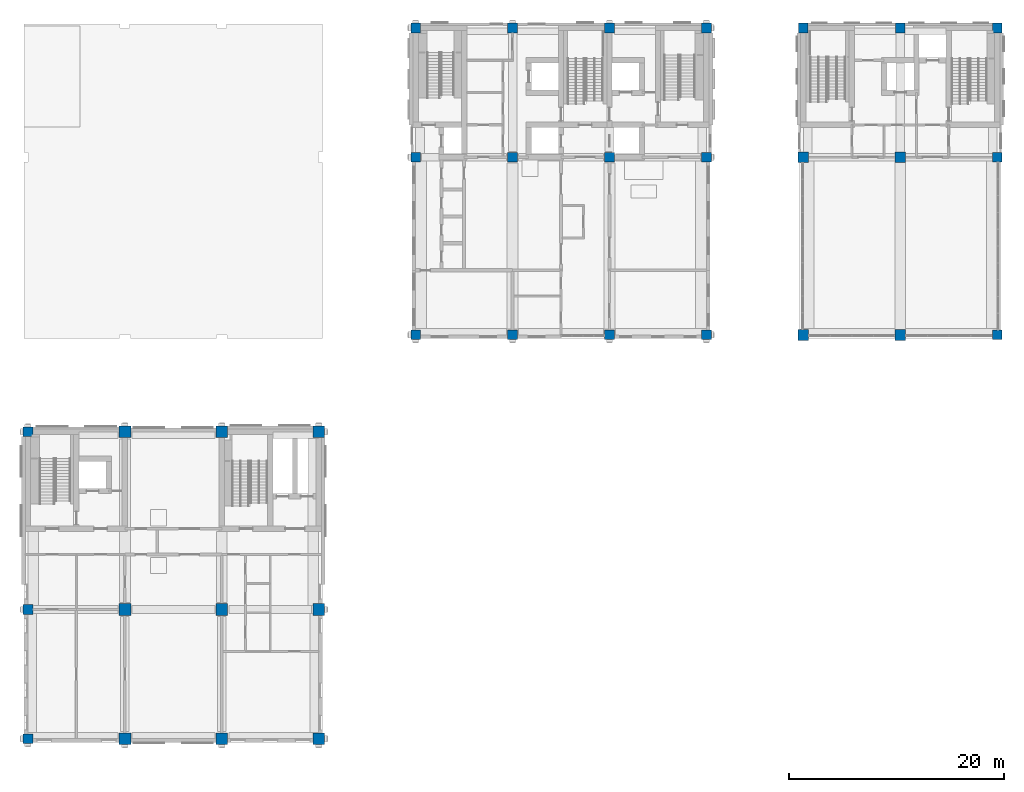
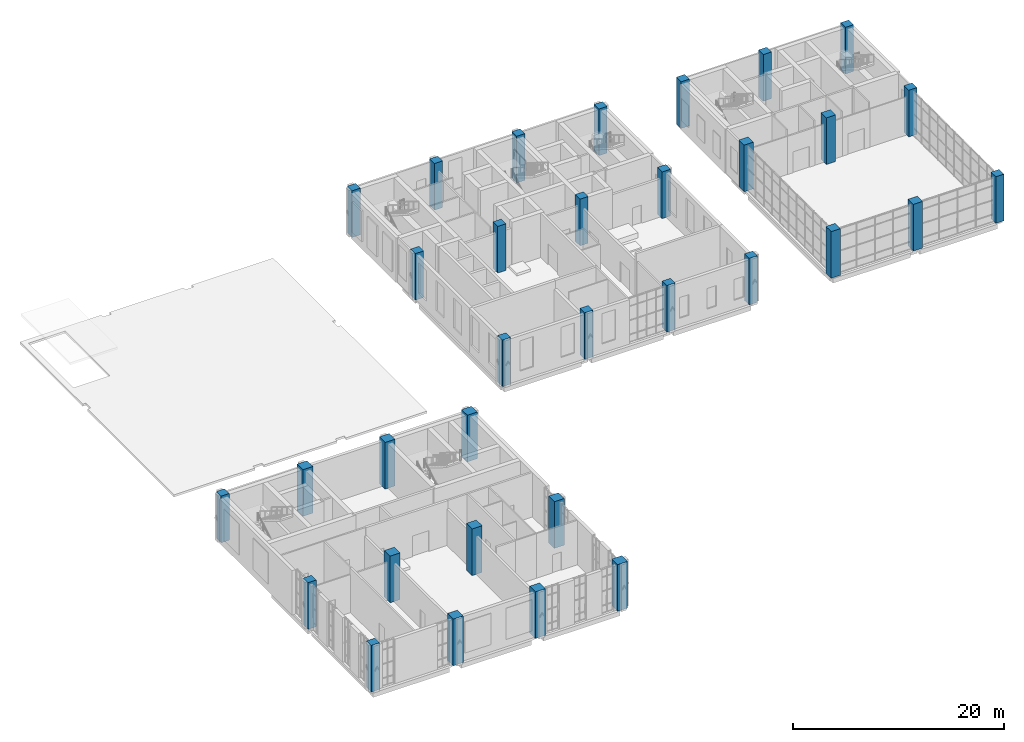
# One storey, part 1 of 33: 33 columns.
"""IFC4 building model written with IfcOpenShell, lengths in metres."""

from ifc_helpers import new_model, si_unit, direction, frame, origin, origin_2d, place, context, subcontext, project, spatial, rectangle, extrude, material, material_profile, profile_set, type_object, element, save


model = new_model("IFC4")

# Units and contexts
model_context = context("Model", 3, precision=1e-05, world=origin(), true_north=direction((0.0, 1.0)))
body_context = subcontext(model_context, "Body", "Model", "MODEL_VIEW")
ifc_project = project(units=[si_unit("LENGTHUNIT", "METRE"), si_unit("AREAUNIT", "SQUARE_METRE"), si_unit("VOLUMEUNIT", "CUBIC_METRE"), si_unit("PLANEANGLEUNIT", "RADIAN"), si_unit("MASSUNIT", "GRAM", prefix="KILO")], contexts=[model_context])

# Site, building, storey
site_placement = place(None, origin())
site = spatial("IfcSite", under=ifc_project, at=site_placement, CompositionType="ELEMENT")
building_placement = place(site_placement, origin())
building = spatial("IfcBuilding", under=site, at=building_placement, Name="Aurelan Courthouse", CompositionType="ELEMENT")
storey_placement = place(building_placement, frame((0.0, 0.0, 22.800048828125)))
storey = spatial("IfcBuildingStorey", under=building, at=storey_placement, Name="L04", CompositionType="ELEMENT", Elevation=22.800048828125)

# Columns
ifc_material = material(Name="Concrete C50", Category="concrete")
ifc_material_profile_1 = material_profile(ifc_material, rectangle(XDim=1.0, YDim=1.0, at=origin_2d()), Name="RC 1000 x 1000")
ifc_profile_set_1 = profile_set([ifc_material_profile_1], Name="Concrete C50")
column_type_1 = type_object("IfcColumnType", Name="RC column 1000 x 1000 C50", PredefinedType="COLUMN", material=ifc_profile_set_1)
for number, where, z_axis, x_axis, name in (
    (1, (72.0, 37.5, 0.0), (0.0, 0.0, 1.0), (1.0, 0.0, 0.0), "Column C-D9-A"),
    (2, (81.0, 37.5, 0.0), (0.0, 0.0, 1.0), (1.0, 0.0, 0.0), "Column C-D10-A"),
    (3, (72.0, 54.0, 0.0), (0.0, 0.0, 1.0), (1.0, 0.0, 0.0), "Column C-E9-A"),
    (4, (81.0, 54.0, 0.0), (0.0, 0.0, 1.0), (1.0, 0.0, 0.0), "Column C-E10-A"),
):
    element("IfcColumn", number, at=place(storey_placement, frame(where, z_axis=z_axis, x_axis=x_axis)), inside=storey, type_object=column_type_1, Name=name, PredefinedType="COLUMN", context=body_context, shape_type="SweptSolid", body=[
        extrude(rectangle(XDim=1.0, YDim=1.0, at=origin_2d()), origin(), (0.0, 0.0, 1.0), 5.39990234375),
    ])
ifc_material_profile_2 = material_profile(ifc_material, rectangle(XDim=1.10009765625, YDim=1.10009765625, at=origin_2d()), Name="RC 1100 x 1100")
ifc_profile_set_2 = profile_set([ifc_material_profile_2], Name="Concrete C50")
column_type_2 = type_object("IfcColumnType", Name="RC column 1100 x 1100 C50", PredefinedType="COLUMN", material=ifc_profile_set_2)
for number, where, z_axis, x_axis, name in (
    (5, (9.0, 0.0, 0.0), (0.0, 0.0, 1.0), (1.0, 0.0, 0.0), "Column C-A2-C"),
    (6, (18.0, 0.0, 0.0), (0.0, 0.0, 1.0), (1.0, 0.0, 0.0), "Column C-A3-C"),
    (7, (27.0, 0.0, 0.0), (0.0, 0.0, 1.0), (1.0, 0.0, 0.0), "Column C-A4-C"),
    (8, (9.0, 12.0, 0.0), (0.0, 0.0, 1.0), (1.0, 0.0, 0.0), "Column C-B2-C"),
    (9, (18.0, 12.0, 0.0), (0.0, 0.0, 1.0), (1.0, 0.0, 0.0), "Column C-B3-C"),
    (10, (27.0, 12.0, 0.0), (0.0, 0.0, 1.0), (1.0, 0.0, 0.0), "Column C-B4-C"),
    (11, (9.0, 28.5, 0.0), (0.0, 0.0, 1.0), (1.0, 0.0, 0.0), "Column C-C2-C"),
    (12, (18.0, 28.5, 0.0), (0.0, 0.0, 1.0), (1.0, 0.0, 0.0), "Column C-C3-C"),
    (13, (27.0, 28.5, 0.0), (0.0, 0.0, 1.0), (1.0, 0.0, 0.0), "Column C-C4-C"),
):
    element("IfcColumn", number, at=place(storey_placement, frame(where, z_axis=z_axis, x_axis=x_axis)), inside=storey, type_object=column_type_2, Name=name, PredefinedType="COLUMN", context=body_context, shape_type="SweptSolid", body=[
        extrude(rectangle(XDim=1.10009765625, YDim=1.10009765625, at=origin_2d()), origin(), (0.0, 0.0, 1.0), 5.39990234375),
    ])
ifc_material_profile_3 = material_profile(ifc_material, rectangle(XDim=0.89990234375, YDim=0.89990234375, at=origin_2d()), Name="RC 900 x 900")
ifc_profile_set_3 = profile_set([ifc_material_profile_3], Name="Concrete C50")
column_type_3 = type_object("IfcColumnType", Name="RC column 900 x 900 C50", PredefinedType="COLUMN", material=ifc_profile_set_3)
for number, where, z_axis, x_axis, name in (
    (14, (0.0, 0.0, 0.0), (0.0, 0.0, 1.0), (1.0, 0.0, 0.0), "Column C-A1-C"),
    (15, (0.0, 12.0, 0.0), (0.0, 0.0, 1.0), (1.0, 0.0, 0.0), "Column C-B1-C"),
    (16, (0.0, 28.5, 0.0), (0.0, 0.0, 1.0), (1.0, 0.0, 0.0), "Column C-C1-C"),
    (17, (36.0, 37.5, 0.0), (0.0, 0.0, 1.0), (1.0, 0.0, 0.0), "Column C-D5-B"),
    (18, (45.0, 37.5, 0.0), (0.0, 0.0, 1.0), (1.0, 0.0, 0.0), "Column C-D6-B"),
    (19, (54.0, 37.5, 0.0), (0.0, 0.0, 1.0), (1.0, 0.0, 0.0), "Column C-D7-B"),
    (20, (63.0, 37.5, 0.0), (0.0, 0.0, 1.0), (1.0, 0.0, 0.0), "Column C-D8-B"),
    (21, (90.0, 37.5, 0.0), (0.0, 0.0, 1.0), (1.0, 0.0, 0.0), "Column C-D11-A"),
    (22, (36.0, 54.0, 0.0), (0.0, 0.0, 1.0), (1.0, 0.0, 0.0), "Column C-E5-B"),
    (23, (45.0, 54.0, 0.0), (0.0, 0.0, 1.0), (1.0, 0.0, 0.0), "Column C-E6-B"),
    (24, (54.0, 54.0, 0.0), (0.0, 0.0, 1.0), (1.0, 0.0, 0.0), "Column C-E7-B"),
    (25, (63.0, 54.0, 0.0), (0.0, 0.0, 1.0), (1.0, 0.0, 0.0), "Column C-E8-B"),
    (26, (90.0, 54.0, 0.0), (0.0, 0.0, 1.0), (1.0, 0.0, 0.0), "Column C-E11-A"),
    (27, (36.0, 66.0, 0.0), (0.0, 0.0, 1.0), (1.0, 0.0, 0.0), "Column C-F5-B"),
    (28, (45.0, 66.0, 0.0), (0.0, 0.0, 1.0), (1.0, 0.0, 0.0), "Column C-F6-B"),
    (29, (54.0, 66.0, 0.0), (0.0, 0.0, 1.0), (1.0, 0.0, 0.0), "Column C-F7-B"),
    (30, (63.0, 66.0, 0.0), (0.0, 0.0, 1.0), (1.0, 0.0, 0.0), "Column C-F8-B"),
    (31, (72.0, 66.0, 0.0), (0.0, 0.0, 1.0), (1.0, 0.0, 0.0), "Column C-F9-A"),
    (32, (81.0, 66.0, 0.0), (0.0, 0.0, 1.0), (1.0, 0.0, 0.0), "Column C-F10-A"),
    (33, (90.0, 66.0, 0.0), (0.0, 0.0, 1.0), (1.0, 0.0, 0.0), "Column C-F11-A"),
):
    element("IfcColumn", number, at=place(storey_placement, frame(where, z_axis=z_axis, x_axis=x_axis)), inside=storey, type_object=column_type_3, Name=name, PredefinedType="COLUMN", context=body_context, shape_type="SweptSolid", body=[
        extrude(rectangle(XDim=0.89990234375, YDim=0.89990234375, at=origin_2d()), origin(), (0.0, 0.0, 1.0), 5.39990234375),
    ])

save(model, "model.ifc")
